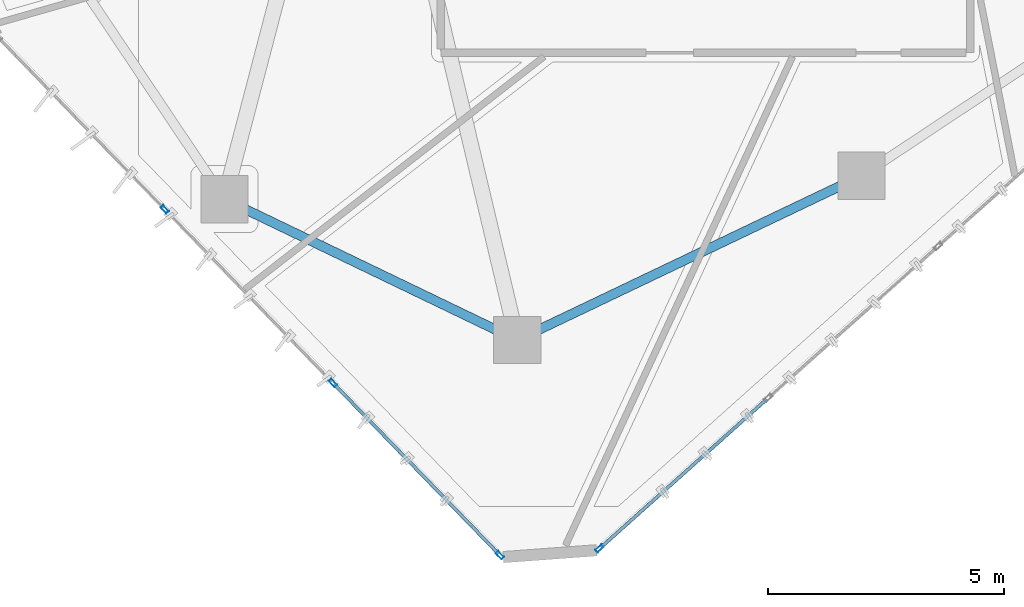
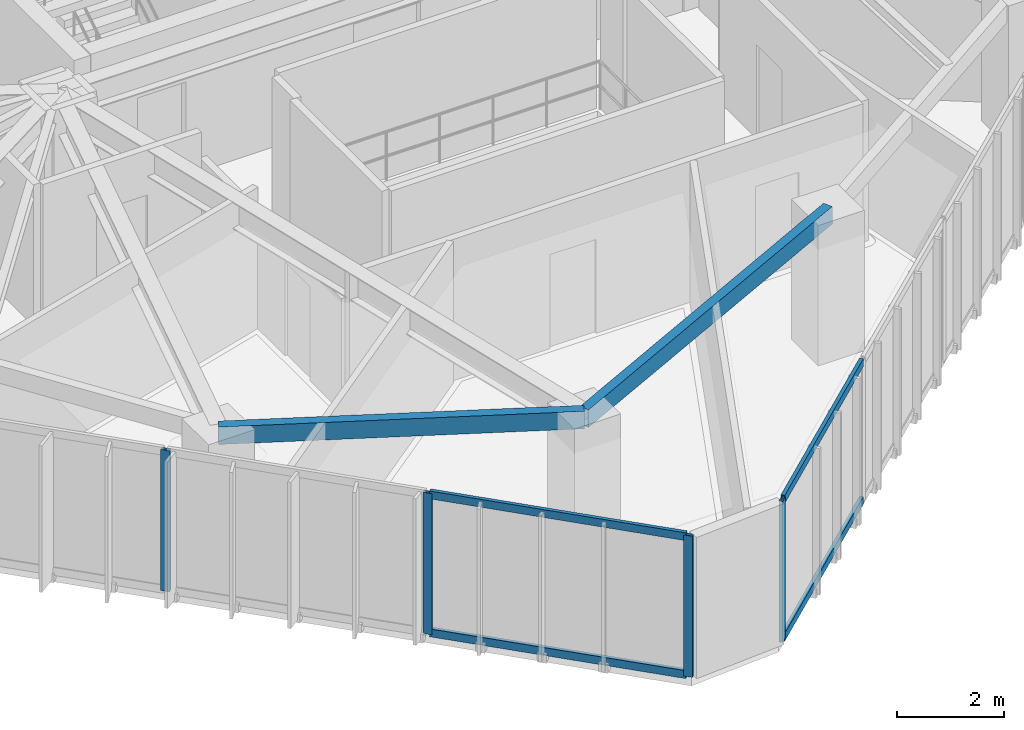
# One storey, part 2 of 19: 8 members, 2 beams, 2 elements without a shape of their own.
"""IFC4 building model written with IfcOpenShell, lengths in metres."""

from ifc_helpers import new_model, si_unit, direction, frame, origin, origin_2d, place, context, subcontext, project, spatial, hollow_rectangle, extrude, source, transform, mapped, material, layer, layer_set, material_profile, profile_set, type_object, type_shapes, element, aggregate, save


model = new_model("IFC4")

# Units and contexts
model_context = context("Model", 3, precision=1e-05, world=origin(), true_north=direction((0.0, 1.0)))
body_context = subcontext(model_context, "Body", "Model", "MODEL_VIEW")
ifc_project = project(units=[si_unit("LENGTHUNIT", "METRE"), si_unit("AREAUNIT", "SQUARE_METRE"), si_unit("VOLUMEUNIT", "CUBIC_METRE"), si_unit("PLANEANGLEUNIT", "RADIAN"), si_unit("MASSUNIT", "GRAM", prefix="KILO")], contexts=[model_context])

# Site, building, storey
site_placement = place(None, origin())
site = spatial("IfcSite", under=ifc_project, at=site_placement, CompositionType="ELEMENT")
building_placement = place(site_placement, origin())
building = spatial("IfcBuilding", under=site, at=building_placement, Name="Talar Marvaseh", CompositionType="ELEMENT")
storey_placement = place(building_placement, frame((0.0, 0.0, 222.199951171875)))
storey = spatial("IfcBuildingStorey", under=building, at=storey_placement, Name="L58", CompositionType="ELEMENT", Elevation=222.199951171875)

# Beams
ifc_material_1 = material(Name="Steel S355", Category="steel")
ifc_material_profile_1 = material_profile(ifc_material_1, hollow_rectangle(XDim=0.199951171875, YDim=0.39990234375, WallThickness=0.013916015625, at=origin_2d()), Name="RHS400x200x14")
ifc_profile_set_1 = profile_set([ifc_material_profile_1], Name="Steel S355")
beam_type = type_object("IfcBeamType", Name="Zone 3 Perimeter Spandrel Beam RHS400x200x14", PredefinedType="SPANDREL", material=ifc_profile_set_1)
beam_1_placement = place(storey_placement, frame((29.299072265625, 14.993896484375, 3.030029296875), z_axis=(-0.902562267408, -0.430559349511, 0.0), x_axis=(0.430559349511, -0.902562267408, 0.0)))
element("IfcBeam", 1, at=beam_1_placement, inside=storey, type_object=beam_type, Name="L58 Zone 3 Perimeter Spandrel Beam RHS400x200x14", PredefinedType="SPANDREL", context=body_context, shape_type="SweptSolid", body=[
    extrude(hollow_rectangle(XDim=0.199951171875, YDim=0.39990234375, WallThickness=0.013916015625, at=origin_2d()), origin(), (0.0, 0.0, 1.0), 8.070556640625),
])
beam_2_placement = place(storey_placement, frame((22.014892578125, 11.51904296875, 3.030029296875), z_axis=(-0.901071562993, 0.433670425975, 0.0), x_axis=(-0.433670425975, -0.901071562993, 0.0)))
element("IfcBeam", 2, at=beam_2_placement, inside=storey, type_object=beam_type, Name="L58 Zone 3 Perimeter Spandrel Beam RHS400x200x14", PredefinedType="SPANDREL", context=body_context, shape_type="SweptSolid", body=[
    extrude(hollow_rectangle(XDim=0.199951171875, YDim=0.39990234375, WallThickness=0.013916015625, at=origin_2d()), origin(), (0.0, 0.0, 1.0), 6.8759765625),
])

# Curtain wall, members
ifc_material_2 = material(Name="Architectural Aluminium", Category="aluminium")
ifc_layer = layer(ifc_material_2, 0.18994140625)
ifc_layer_set = layer_set([ifc_layer], Name="Architectural Aluminium")
curtain_wall_type = type_object("IfcCurtainWallType", Name="Unitised Solar Atelier Curtain Wall Z3", PredefinedType="NOTDEFINED", material=ifc_layer_set)
curtain_wall_1_placement = place(storey_placement, origin())
curtain_wall_1 = element("IfcCurtainWall", 3, at=curtain_wall_1_placement, inside=storey, type_object=curtain_wall_type, Name="L58 Unitised Solar Atelier Curtain Wall Z3", PredefinedType="NOTDEFINED")
ifc_material_profile_2 = material_profile(ifc_material_2, hollow_rectangle(XDim=0.074951171875, YDim=0.179931640625, WallThickness=0.0048828125, at=origin_2d()), Name="RHS180x75x5")
ifc_profile_set_2 = profile_set([ifc_material_profile_2], Name="Architectural Aluminium")
member_type_1 = type_object("IfcMemberType", Name="Unitised Curtain Wall Standard Mullion RHS180x75x5", PredefinedType="MULLION", material=ifc_profile_set_2)
shared_shape_1 = source(origin(), body_context, "Body", "SweptSolid", [
    extrude(hollow_rectangle(XDim=0.074951171875, YDim=0.179931640625, WallThickness=0.0048828125, at=origin_2d()), origin(), (0.0, 0.0, 1.0), 3.22998046875),
])
type_shapes(member_type_1, [shared_shape_1])
member_1_placement = place(storey_placement, frame((21.647705078125, 6.9697265625, 0.0), z_axis=(0.0, 0.0, 1.0), x_axis=(-0.718173328427, -0.695864261431, 0.0)))
member_1 = element("IfcMember", 4, at=member_1_placement, type_object=member_type_1, Name="CW-Z3 mullion 1", PredefinedType="MULLION", context=body_context, shape_type="MappedRepresentation", body=[
    mapped(shared_shape_1, transform((0.0, 0.0, 0.0), x_axis=(1.0, 0.0, 0.0), y_axis=(0.0, 1.0, 0.0), z_axis=(0.0, 0.0, 1.0), scale=1.0)),
])
member_2_placement = place(storey_placement, frame((18.11572265625, 10.614990234375, 0.0), z_axis=(0.0, 0.0, 1.0), x_axis=(-0.718173328427, -0.695864261431, 0.0)))
member_2 = element("IfcMember", 5, at=member_2_placement, type_object=member_type_1, Name="CW-Z3 mullion 2", PredefinedType="MULLION", context=body_context, shape_type="MappedRepresentation", body=[
    mapped(shared_shape_1, transform((0.0, 0.0, 0.0), x_axis=(1.0, 0.0, 0.0), y_axis=(0.0, 1.0, 0.0), z_axis=(0.0, 0.0, 1.0), scale=1.0)),
])
member_3_placement = place(storey_placement, frame((14.557861328125, 14.286865234375, 0.0), z_axis=(0.0, 0.0, 1.0), x_axis=(-0.718173328427, -0.695864261431, 0.0)))
member_3 = element("IfcMember", 6, at=member_3_placement, type_object=member_type_1, Name="CW-Z3 mullion 3", PredefinedType="MULLION", context=body_context, shape_type="MappedRepresentation", body=[
    mapped(shared_shape_1, transform((0.0, 0.0, 0.0), x_axis=(1.0, 0.0, 0.0), y_axis=(0.0, 1.0, 0.0), z_axis=(0.0, 0.0, 1.0), scale=1.0)),
])

# Curtain wall, member
curtain_wall_2_placement = place(storey_placement, origin())
curtain_wall_2 = element("IfcCurtainWall", 7, at=curtain_wall_2_placement, inside=storey, type_object=curtain_wall_type, Name="L58 Unitised Solar Atelier Curtain Wall Z3", PredefinedType="NOTDEFINED")
member_4_placement = place(storey_placement, frame((23.75732421875, 7.10888671875, 0.0), z_axis=(0.0, 0.0, 1.0), x_axis=(0.665997945274, -0.74595357556, 0.0)))
member_4 = element("IfcMember", 8, at=member_4_placement, type_object=member_type_1, Name="CW-Z3 mullion 5", PredefinedType="MULLION", context=body_context, shape_type="MappedRepresentation", body=[
    mapped(shared_shape_1, transform((0.0, 0.0, 0.0), x_axis=(1.0, 0.0, 0.0), y_axis=(0.0, 1.0, 0.0), z_axis=(0.0, 0.0, 1.0), scale=1.0)),
])

# Member
ifc_material_profile_3 = material_profile(ifc_material_2, hollow_rectangle(XDim=0.074951171875, YDim=0.179931640625, WallThickness=0.0048828125, at=origin_2d()), Name="RHS180x75x5")
ifc_profile_set_3 = profile_set([ifc_material_profile_3], Name="Architectural Aluminium")
member_type_2 = type_object("IfcMemberType", Name="Unitised Curtain Wall Transom RHS180x75x5", PredefinedType="USERDEFINED", material=ifc_profile_set_3)
shared_shape_2 = source(origin(), body_context, "Body", "SweptSolid", [
    extrude(hollow_rectangle(XDim=0.074951171875, YDim=0.179931640625, WallThickness=0.0048828125, at=origin_2d()), origin(), (0.0, 0.0, 1.0), 5.00048828125),
])
member_5_placement = place(storey_placement, frame((21.62158203125, 6.996826171875, 0.03759765625), z_axis=(-0.69588729915, 0.718151005626, 0.0), x_axis=(-0.718151005626, -0.69588729915, 0.0)))
member_5 = element("IfcMember", 9, at=member_5_placement, type_object=member_type_2, Name="CW-Z3 transom 1.1", ObjectType="TRANSOM", PredefinedType="USERDEFINED", context=body_context, shape_type="MappedRepresentation", body=[
    mapped(shared_shape_2, transform((0.0, 0.0, 0.0), x_axis=(1.0, 0.0, 0.0), y_axis=(0.0, 1.0, 0.0), z_axis=(0.0, 0.0, 1.0), scale=1.0)),
])

member_6_placement = place(storey_placement, frame((21.62158203125, 6.996826171875, 3.192626953125), z_axis=(-0.69588729915, 0.718151005626, 0.0), x_axis=(-0.718151005626, -0.69588729915, 0.0)))
member_6 = element("IfcMember", 10, at=member_6_placement, type_object=member_type_2, Name="CW-Z3 transom 1.2", ObjectType="TRANSOM", PredefinedType="USERDEFINED", context=body_context, shape_type="MappedRepresentation", body=[
    mapped(shared_shape_2, transform((0.0, 0.0, 0.0), x_axis=(1.0, 0.0, 0.0), y_axis=(0.0, 1.0, 0.0), z_axis=(0.0, 0.0, 1.0), scale=1.0)),
])

aggregate(curtain_wall_1, [member_1, member_2, member_3, member_5, member_6])

shared_shape_3 = source(origin(), body_context, "Body", "SweptSolid", [
    extrude(hollow_rectangle(XDim=0.074951171875, YDim=0.179931640625, WallThickness=0.0048828125, at=origin_2d()), origin(), (0.0, 0.0, 1.0), 4.70947265625),
])
type_shapes(member_type_2, [shared_shape_2, shared_shape_3])
member_7_placement = place(storey_placement, frame((27.29833984375, 10.2705078125, 0.03759765625), z_axis=(-0.745920185275, -0.666035342304, 0.0), x_axis=(0.666035342304, -0.745920185275, 0.0)))
member_7 = element("IfcMember", 11, at=member_7_placement, type_object=member_type_2, Name="CW-Z3 transom 4.1", ObjectType="TRANSOM", PredefinedType="USERDEFINED", context=body_context, shape_type="MappedRepresentation", body=[
    mapped(shared_shape_3, transform((0.0, 0.0, 0.0), x_axis=(1.0, 0.0, 0.0), y_axis=(0.0, 1.0, 0.0), z_axis=(0.0, 0.0, 1.0), scale=1.0)),
])

member_8_placement = place(storey_placement, frame((27.29833984375, 10.2705078125, 3.192626953125), z_axis=(-0.745920185275, -0.666035342304, 0.0), x_axis=(0.666035342304, -0.745920185275, 0.0)))
member_8 = element("IfcMember", 12, at=member_8_placement, type_object=member_type_2, Name="CW-Z3 transom 4.2", ObjectType="TRANSOM", PredefinedType="USERDEFINED", context=body_context, shape_type="MappedRepresentation", body=[
    mapped(shared_shape_3, transform((0.0, 0.0, 0.0), x_axis=(1.0, 0.0, 0.0), y_axis=(0.0, 1.0, 0.0), z_axis=(0.0, 0.0, 1.0), scale=1.0)),
])

aggregate(curtain_wall_2, [member_4, member_7, member_8])

save(model, "model.ifc")
